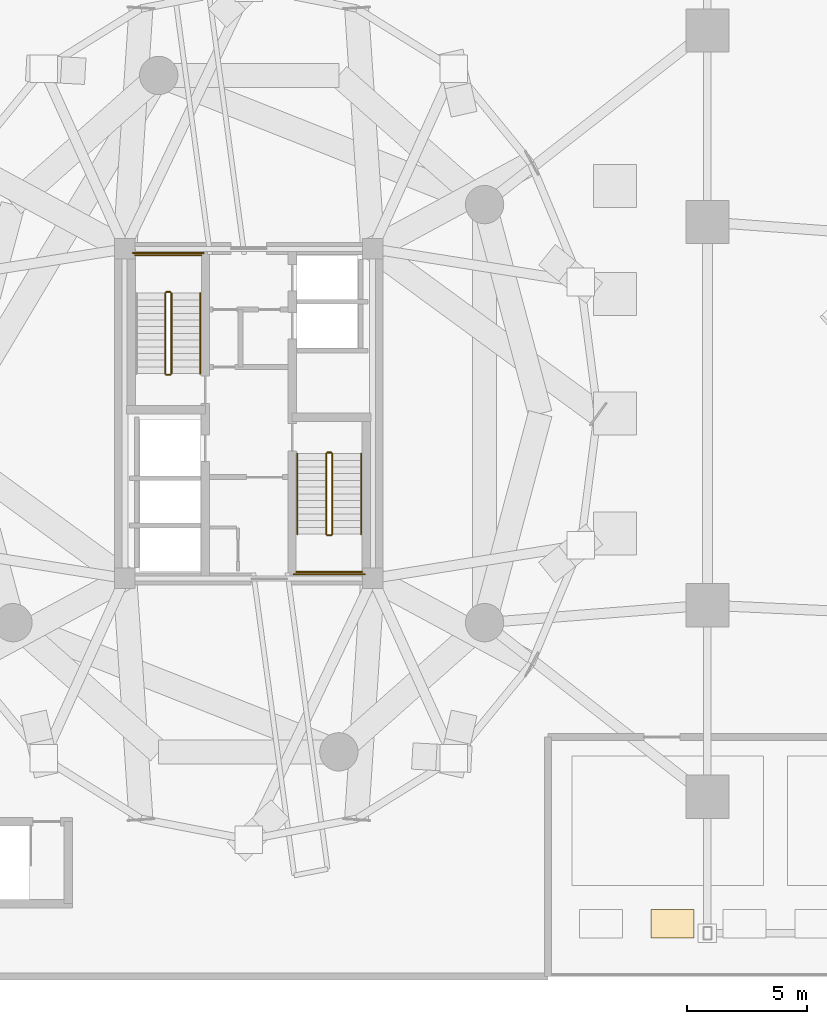
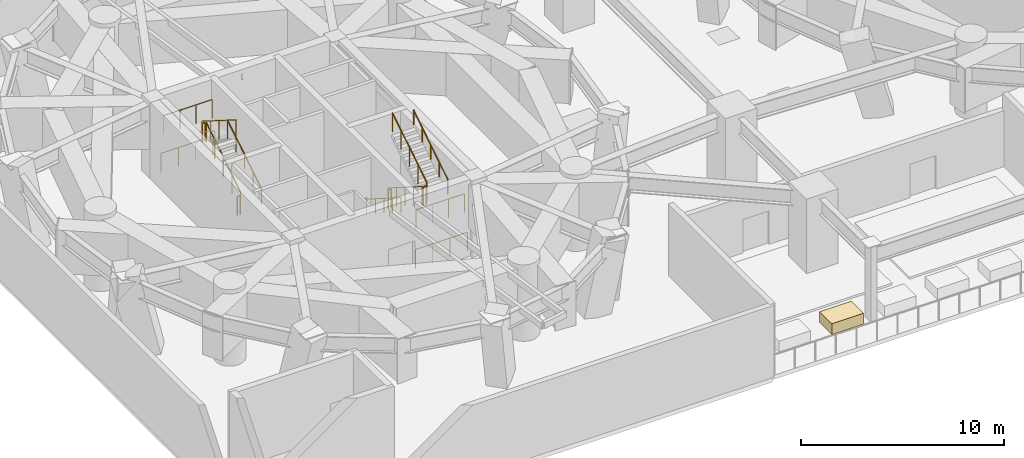
# One storey, part 22 of 25: 15 railings, 1 covering.
"""IFC4 building model written with IfcOpenShell, lengths in metres."""

import ifcopenshell
import ifcopenshell.guid

model = None  # the IFC model being written
_history = None  # IfcOwnerHistory: only IFC2X3 demands one
_inside = {}  # id of a spatial element -> (the spatial element, [elements in it])
_under = {}  # id of a project, library or spatial element -> (it, [spatial elements below it])
_declared = {}  # id of a project -> (the project, [libraries it declares])
_typed = {}  # id of a type object -> (the type object, [elements of that type])
_made_of = {}  # id of a material, layer set ... -> (it, [elements and type objects made of it])


def new_model(schema):
    """Start an empty IFC model of exactly this schema.

    Asked for "IFC4X3", IfcOpenShell would pick the latest addendum, in which some entities
    have other attributes; the version numbers below select the first issue.
    IFC2X3 requires an IfcOwnerHistory on every rooted entity: one is made here for all.
    """
    global model, _history
    if schema == "IFC4X3":
        model = ifcopenshell.file(schema_version=(4, 3, 0, 0))
    else:
        model = ifcopenshell.file(schema=schema)
    _inside.clear()
    _under.clear()
    _declared.clear()
    _typed.clear()
    _made_of.clear()
    _history = None
    if model.schema == "IFC2X3":
        org = make("IfcOrganization", Name="unknown")
        user = make(
            "IfcPersonAndOrganization",
            ThePerson=make("IfcPerson", FamilyName="unknown"),
            TheOrganization=org,
        )
        app = make(
            "IfcApplication",
            ApplicationDeveloper=org,
            Version="unknown",
            ApplicationFullName="unknown",
            ApplicationIdentifier="unknown",
        )
        _history = make(
            "IfcOwnerHistory",
            OwningUser=user,
            OwningApplication=app,
            ChangeAction="ADDED",
            CreationDate=0,
        )
    return model


def make(cls, **values):
    """One entity of the class cls with the attributes given. An attribute that is None is left unset."""
    return model.create_entity(
        cls, **{name: value for name, value in values.items() if value is not None}
    )


def rooted(cls, **values):
    """An entity with a GlobalId (a new one), such as an element, a storey or a relation."""
    return make(cls, GlobalId=ifcopenshell.guid.new(), OwnerHistory=_history, **values)


def si_unit(unit_type, name, prefix=None):
    """IfcSIUnit, for example si_unit("LENGTHUNIT", "METRE", prefix="MILLI")."""
    return make("IfcSIUnit", UnitType=unit_type, Prefix=prefix, Name=name)


def assignment(units):
    """IfcUnitAssignment: the units of a project."""
    return None if units is None else make("IfcUnitAssignment", Units=units)


def point(xyz):
    """IfcCartesianPoint."""
    return None if xyz is None else make("IfcCartesianPoint", Coordinates=xyz)


def direction(xyz):
    """IfcDirection."""
    return None if xyz is None else make("IfcDirection", DirectionRatios=xyz)


def frame(location, z_axis=None, x_axis=None):
    """IfcAxis2Placement3D, a coordinate frame: its origin and axes. An axis left out is left unset."""
    return make(
        "IfcAxis2Placement3D",
        Location=point(location),
        Axis=direction(z_axis),
        RefDirection=direction(x_axis),
    )


def frame_2d(location, x_axis=None):
    """IfcAxis2Placement2D, a coordinate frame in the plane: its origin and x axis."""
    return make(
        "IfcAxis2Placement2D", Location=point(location), RefDirection=direction(x_axis)
    )


def origin():
    """The frame at (0, 0, 0) with its axes left unset."""
    return frame((0.0, 0.0, 0.0))


def origin_2d():
    """The frame at (0, 0) in the plane with its x axis left unset."""
    return frame_2d((0.0, 0.0))


def place(relative_to, where):
    """IfcLocalPlacement: puts the frame where relative to a parent placement (None: the world)."""
    return make(
        "IfcLocalPlacement", PlacementRelTo=relative_to, RelativePlacement=where
    )


def context(
    kind, dimensions, precision=None, world=None, true_north=None, identifier=None
):
    """IfcGeometricRepresentationContext, for example the 3D "Model" context."""
    return make(
        "IfcGeometricRepresentationContext",
        ContextIdentifier=identifier,
        ContextType=kind,
        CoordinateSpaceDimension=dimensions,
        Precision=precision,
        WorldCoordinateSystem=world,
        TrueNorth=true_north,
    )


def subcontext(parent, identifier, kind, view, scale=None):
    """IfcGeometricRepresentationSubContext, for example "Body" below "Model"."""
    return make(
        "IfcGeometricRepresentationSubContext",
        ContextIdentifier=identifier,
        ContextType=kind,
        ParentContext=parent,
        TargetScale=scale,
        TargetView=view,
    )


def project(units=None, contexts=None):
    """IfcProject with its units and contexts."""
    return rooted(
        "IfcProject",
        Name="project",
        RepresentationContexts=contexts,
        UnitsInContext=assignment(units),
    )


def spatial(cls, under=None, at=None, **own):
    """A site, building, storey or space (cls), placed at a placement, below another one or the project."""
    s = rooted(cls, ObjectPlacement=at, **own)
    if under is not None:
        _under.setdefault(under.id(), (under, []))[1].append(s)
    return s


def profile(cls, at=None, kind="AREA", **sizes):
    """A parametric profile (cls). Its sizes go by their IFC names, for example OverallWidth=200.0."""
    return make(cls, ProfileType=kind, Position=at, **sizes)


def rectangle(**sizes):
    """IfcRectangleProfileDef."""
    return profile("IfcRectangleProfileDef", **sizes)


def circle(**sizes):
    """IfcCircleProfileDef."""
    return profile("IfcCircleProfileDef", **sizes)


def extrude(swept, where, along, depth):
    """IfcExtrudedAreaSolid: the profile swept, set in the frame where, extruded along a direction by depth."""
    return make(
        "IfcExtrudedAreaSolid",
        SweptArea=swept,
        Position=where,
        ExtrudedDirection=direction(along),
        Depth=depth,
    )


def shape(context_of_items, identifier, shape_type, items):
    """IfcShapeRepresentation: the items that make up one representation, for example the "Body"."""
    return make(
        "IfcShapeRepresentation",
        ContextOfItems=context_of_items,
        RepresentationIdentifier=identifier,
        RepresentationType=shape_type,
        Items=items,
    )


def source(mapping_origin, context_of_items, identifier, shape_type, items):
    """IfcRepresentationMap: a shape defined once, which mapped items show again and again."""
    return make(
        "IfcRepresentationMap",
        MappingOrigin=mapping_origin,
        MappedRepresentation=shape(context_of_items, identifier, shape_type, items),
    )


def transform(
    local_origin,
    x_axis=None,
    y_axis=None,
    z_axis=None,
    scale=None,
    scale2=None,
    scale3=None,
    uniform=True,
):
    """IfcCartesianTransformationOperator3D, or its non-uniform kind. x_axis, y_axis, z_axis: its Axis1, 2, 3."""
    if uniform:
        return make(
            "IfcCartesianTransformationOperator3D",
            Axis1=direction(x_axis),
            Axis2=direction(y_axis),
            LocalOrigin=point(local_origin),
            Scale=scale,
            Axis3=direction(z_axis),
        )
    return make(
        "IfcCartesianTransformationOperator3DnonUniform",
        Axis1=direction(x_axis),
        Axis2=direction(y_axis),
        LocalOrigin=point(local_origin),
        Scale=scale,
        Axis3=direction(z_axis),
        Scale2=scale2,
        Scale3=scale3,
    )


def mapped(mapping_source, mapping_target):
    """IfcMappedItem: shows the shape of a source again, moved by a transform."""
    return make(
        "IfcMappedItem", MappingSource=mapping_source, MappingTarget=mapping_target
    )


def material(Name=None, Category=None):
    """IfcMaterial."""
    return make("IfcMaterial", Name=Name, Category=Category)


def layer(
    of_material, thickness, ventilated=None, Name=None, Category=None, Priority=None
):
    """IfcMaterialLayer: one layer of a wall or slab, of a material (None: an air gap)."""
    return make(
        "IfcMaterialLayer",
        Material=of_material,
        LayerThickness=thickness,
        IsVentilated=ventilated,
        Name=Name,
        Category=Category,
        Priority=Priority,
    )


def layer_set(layers, Name=None):
    """IfcMaterialLayerSet."""
    return make("IfcMaterialLayerSet", MaterialLayers=layers, LayerSetName=Name)


def made_of(thing, what):
    """Note that an element or type object is made of a material, layer set ...; save() writes the relation."""
    if what is not None:
        _made_of.setdefault(what.id(), (what, []))[1].append(thing)
    return thing


def type_object(cls, material=None, **own):
    """A type object (cls), such as IfcWallType, which elements share."""
    return made_of(rooted(cls, **own), material)


def element(
    cls,
    number,
    at=None,
    inside=None,
    cuts=None,
    type_object=None,
    material=None,
    context=None,
    identifier="Body",
    shape_type=None,
    held_by="IfcProductDefinitionShape",
    body=None,
    shapes=None,
    **own,
):
    """One element of the class cls, such as IfcWall. Its Tag is "e" and its number.

    at: its placement. inside: the storey or other place that contains it. cuts: it is an
    opening in that element (IfcRelVoidsElement). A single representation is given by context,
    identifier, shape_type and body (its items); several are given by shapes. held_by: the class
    of the entity that holds the representations. save() writes the other relations.
    """
    e = rooted(cls, Tag="e%d" % number, ObjectPlacement=at, **own)
    if body is not None:
        shapes = [shape(context, identifier, shape_type, body)]
    if shapes is not None:
        e.Representation = make(held_by, Representations=shapes)
    if inside is not None:
        _inside.setdefault(inside.id(), (inside, []))[1].append(e)
    if cuts is not None:
        rooted(
            "IfcRelVoidsElement", RelatingBuildingElement=cuts, RelatedOpeningElement=e
        )
    if type_object is not None:
        _typed.setdefault(type_object.id(), (type_object, []))[1].append(e)
    return made_of(e, material)


def aggregate(whole, parts):
    """IfcRelAggregates: a whole, such as a stair, and the parts it consists of."""
    return rooted("IfcRelAggregates", RelatingObject=whole, RelatedObjects=parts)


def save(model, path):
    """Write the relations noted so far, then the file.

    IfcRelAggregates (storeys below a building ...), IfcRelContainedInSpatialStructure (elements
    in a storey), IfcRelDefinesByType, IfcRelAssociatesMaterial and IfcRelDeclares: one each for
    every whole, place, type object, material and project.
    """
    for whole, parts in _under.values():
        aggregate(whole, parts)
    for where, things in _inside.values():
        rooted(
            "IfcRelContainedInSpatialStructure",
            RelatedElements=things,
            RelatingStructure=where,
        )
    for kind, things in _typed.values():
        rooted("IfcRelDefinesByType", RelatedObjects=things, RelatingType=kind)
    for what, things in _made_of.values():
        rooted("IfcRelAssociatesMaterial", RelatedObjects=things, RelatingMaterial=what)
    for by, libraries in _declared.values():
        rooted("IfcRelDeclares", RelatingContext=by, RelatedDefinitions=libraries)
    model.write(path)


model = new_model("IFC4")

# Units and contexts
model_context = context("Model", 3, precision=1e-05, world=origin(), true_north=direction((0.0, 1.0)))
body_context = subcontext(model_context, "Body", "Model", "MODEL_VIEW")
ifc_project = project(units=[si_unit("LENGTHUNIT", "METRE"), si_unit("AREAUNIT", "SQUARE_METRE"), si_unit("VOLUMEUNIT", "CUBIC_METRE"), si_unit("PLANEANGLEUNIT", "RADIAN"), si_unit("MASSUNIT", "GRAM", prefix="KILO")], contexts=[model_context])

# Site, building, storey
site_placement = place(None, origin())
site = spatial("IfcSite", under=ifc_project, at=site_placement, CompositionType="ELEMENT")
building_placement = place(site_placement, origin())
building = spatial("IfcBuilding", under=site, at=building_placement, Name="Cununo Teusaquillo Station Towers", CompositionType="ELEMENT")
storey_placement = place(building_placement, frame((0.0, 0.0, 17.39990234375)))
storey = spatial("IfcBuildingStorey", under=building, at=storey_placement, Name="L04", CompositionType="ELEMENT", Elevation=17.39990234375)

# Railings
ifc_material_1 = material(Name="Steel EN 10025-2 S355J2", Category="steel")
railing_type_1 = type_object("IfcRailingType", Name="RL-INT-GUARD", PredefinedType="GUARDRAIL", material=ifc_material_1)
railing_1_placement = place(storey_placement, frame((13.27001953125, 26.169921875, 0.177001953125)))
element("IfcRailing", 1, at=railing_1_placement, inside=storey, type_object=railing_type_1, Name="L04 ST-T1-1 stair guard 1", PredefinedType="GUARDRAIL", context=body_context, shape_type="SweptSolid", body=[
    extrude(circle(Radius=0.02392578125, at=origin_2d()), frame((0.0, 0.0, 1.1259765625), z_axis=(0.0, 0.845389635667, 0.534150132366), x_axis=(-1.0, 0.0, 0.0)), (0.0, 0.0, 1.0), 3.974609375),
    extrude(circle(Radius=0.02099609375, at=origin_2d()), origin(), (0.0, 0.0, 1.0), 1.101806640625),
    extrude(circle(Radius=0.02099609375, at=origin_2d()), frame((0.0, 0.840087890625, 0.53076171875)), (0.0, 0.0, 1.0), 1.101806640625),
    extrude(circle(Radius=0.02099609375, at=origin_2d()), frame((0.0, 1.68017578125, 1.0615234375)), (0.0, 0.0, 1.0), 1.101806640625),
    extrude(circle(Radius=0.02099609375, at=origin_2d()), frame((0.0, 2.52001953125, 1.59228515625)), (0.0, 0.0, 1.0), 1.101806640625),
    extrude(circle(Radius=0.02099609375, at=origin_2d()), frame((0.0, 3.360107421875, 2.123046875)), (0.0, 0.0, 1.0), 1.101806640625),
])
railing_2_placement = place(storey_placement, frame((13.219970703125, 29.580078125, 2.300048828125)))
element("IfcRailing", 2, at=railing_2_placement, inside=storey, type_object=railing_type_1, Name="L04 ST-T1-1 stair guard 2", PredefinedType="GUARDRAIL", context=body_context, shape_type="SweptSolid", body=[
    extrude(circle(Radius=0.02392578125, at=origin_2d()), frame((0.0, 0.0, 1.1259765625), z_axis=(-1.0, 0.0, 0.0), x_axis=(0.0, -1.0, 0.0)), (0.0, 0.0, 1.0), 0.159912109375),
    extrude(circle(Radius=0.02099609375, at=origin_2d()), origin(), (0.0, 0.0, 1.0), 1.101806640625),
    extrude(circle(Radius=0.02099609375, at=origin_2d()), frame((-0.159912109375, 0.0, 0.0)), (0.0, 0.0, 1.0), 1.101806640625),
])
railing_3_placement = place(storey_placement, frame((14.52001953125, 31.110107421875, 2.300048828125)))
element("IfcRailing", 3, at=railing_3_placement, inside=storey, type_object=railing_type_1, Name="L04 ST-T1-1 stair guard 3", PredefinedType="GUARDRAIL", context=body_context, shape_type="SweptSolid", body=[
    extrude(circle(Radius=0.02392578125, at=origin_2d()), frame((0.0, 0.0, 1.1259765625), z_axis=(-1.0, 0.0, 0.0), x_axis=(0.0, -1.0, 0.0)), (0.0, 0.0, 1.0), 2.760009765625),
    extrude(circle(Radius=0.02099609375, at=origin_2d()), origin(), (0.0, 0.0, 1.0), 1.101806640625),
    extrude(circle(Radius=0.02099609375, at=origin_2d()), frame((-0.919921875, 0.0, 0.0)), (0.0, 0.0, 1.0), 1.101806640625),
    extrude(circle(Radius=0.02099609375, at=origin_2d()), frame((-1.840087890625, 0.0, 0.0)), (0.0, 0.0, 1.0), 1.101806640625),
    extrude(circle(Radius=0.02099609375, at=origin_2d()), frame((-2.760009765625, 0.0, 0.0)), (0.0, 0.0, 1.0), 1.101806640625),
])
railing_4_placement = place(storey_placement, frame((13.010009765625, 29.530029296875, 2.47705078125)))
element("IfcRailing", 4, at=railing_4_placement, inside=storey, type_object=railing_type_1, Name="L04 ST-T1-1 stair guard 4", PredefinedType="GUARDRAIL", context=body_context, shape_type="SweptSolid", body=[
    extrude(circle(Radius=0.02392578125, at=origin_2d()), frame((0.0, 0.0, 1.1259765625), z_axis=(0.0, -0.845389635667, 0.534150132366), x_axis=(1.0, 0.0, 0.0)), (0.0, 0.0, 1.0), 3.974609375),
    extrude(circle(Radius=0.02099609375, at=origin_2d()), origin(), (0.0, 0.0, 1.0), 1.101806640625),
    extrude(circle(Radius=0.02099609375, at=origin_2d()), frame((0.0, -0.840087890625, 0.53076171875)), (0.0, 0.0, 1.0), 1.101806640625),
    extrude(circle(Radius=0.02099609375, at=origin_2d()), frame((0.0, -1.68017578125, 1.0615234375)), (0.0, 0.0, 1.0), 1.101806640625),
    extrude(circle(Radius=0.02099609375, at=origin_2d()), frame((0.0, -2.52001953125, 1.59228515625)), (0.0, 0.0, 1.0), 1.101806640625),
    extrude(circle(Radius=0.02099609375, at=origin_2d()), frame((0.0, -3.360107421875, 2.123046875)), (0.0, 0.0, 1.0), 1.101806640625),
])
railing_5_placement = place(storey_placement, frame((13.219970703125, 26.1201171875, 0.0)))
element("IfcRailing", 5, at=railing_5_placement, inside=storey, type_object=railing_type_1, Name="L04 ST-T1-1 stair guard 5", PredefinedType="GUARDRAIL", context=body_context, shape_type="SweptSolid", body=[
    extrude(circle(Radius=0.02392578125, at=origin_2d()), frame((0.0, 0.0, 1.1259765625), z_axis=(-1.0, 0.0, 0.0), x_axis=(0.0, -1.0, 0.0)), (0.0, 0.0, 1.0), 0.159912109375),
    extrude(circle(Radius=0.02099609375, at=origin_2d()), origin(), (0.0, 0.0, 1.0), 1.101806640625),
    extrude(circle(Radius=0.02099609375, at=origin_2d()), frame((-0.159912109375, 0.0, 0.0)), (0.0, 0.0, 1.0), 1.101806640625),
])
railing_6_placement = place(storey_placement, frame((14.6201171875, 31.2099609375, 0.0)))
element("IfcRailing", 6, at=railing_6_placement, inside=storey, type_object=railing_type_1, Name="L04 ST-T1-1 stair guard 6", PredefinedType="GUARDRAIL", context=body_context, shape_type="SweptSolid", body=[
    extrude(circle(Radius=0.02392578125, at=origin_2d()), frame((0.0, 0.0, 1.1259765625), z_axis=(-1.0, 0.0, 0.0), x_axis=(0.0, -1.0, 0.0)), (0.0, 0.0, 1.0), 2.960205078125),
    extrude(circle(Radius=0.02099609375, at=origin_2d()), origin(), (0.0, 0.0, 1.0), 1.101806640625),
    extrude(circle(Radius=0.02099609375, at=origin_2d()), frame((-0.98681640625, 0.0, 0.0)), (0.0, 0.0, 1.0), 1.101806640625),
    extrude(circle(Radius=0.02099609375, at=origin_2d()), frame((-1.973388671875, 0.0, 0.0)), (0.0, 0.0, 1.0), 1.101806640625),
    extrude(circle(Radius=0.02099609375, at=origin_2d()), frame((-2.960205078125, 0.0, 0.0)), (0.0, 0.0, 1.0), 1.101806640625),
])
railing_7_placement = place(storey_placement, frame((19.72998046875, 22.830078125, 0.177001953125)))
element("IfcRailing", 7, at=railing_7_placement, inside=storey, type_object=railing_type_1, Name="L04 ST-T1-2 stair guard 1", PredefinedType="GUARDRAIL", context=body_context, shape_type="SweptSolid", body=[
    extrude(circle(Radius=0.02392578125, at=origin_2d()), frame((0.0, 0.0, 1.1259765625), z_axis=(0.0, -0.845389635667, 0.534150132366), x_axis=(1.0, 0.0, 0.0)), (0.0, 0.0, 1.0), 3.974609375),
    extrude(circle(Radius=0.02099609375, at=origin_2d()), origin(), (0.0, 0.0, 1.0), 1.101806640625),
    extrude(circle(Radius=0.02099609375, at=origin_2d()), frame((0.0, -0.840087890625, 0.53076171875)), (0.0, 0.0, 1.0), 1.101806640625),
    extrude(circle(Radius=0.02099609375, at=origin_2d()), frame((0.0, -1.68017578125, 1.0615234375)), (0.0, 0.0, 1.0), 1.101806640625),
    extrude(circle(Radius=0.02099609375, at=origin_2d()), frame((0.0, -2.52001953125, 1.59228515625)), (0.0, 0.0, 1.0), 1.101806640625),
    extrude(circle(Radius=0.02099609375, at=origin_2d()), frame((0.0, -3.360107421875, 2.123046875)), (0.0, 0.0, 1.0), 1.101806640625),
])
railing_8_placement = place(storey_placement, frame((19.780029296875, 19.419921875, 2.300048828125)))
element("IfcRailing", 8, at=railing_8_placement, inside=storey, type_object=railing_type_1, Name="L04 ST-T1-2 stair guard 2", PredefinedType="GUARDRAIL", context=body_context, shape_type="SweptSolid", body=[
    extrude(circle(Radius=0.02392578125, at=origin_2d()), frame((0.0, 0.0, 1.1259765625), z_axis=(1.0, 0.0, 0.0), x_axis=(0.0, 1.0, 0.0)), (0.0, 0.0, 1.0), 0.159912109375),
    extrude(circle(Radius=0.02099609375, at=origin_2d()), origin(), (0.0, 0.0, 1.0), 1.101806640625),
    extrude(circle(Radius=0.02099609375, at=origin_2d()), frame((0.159912109375, 0.0, 0.0)), (0.0, 0.0, 1.0), 1.101806640625),
])
railing_9_placement = place(storey_placement, frame((18.47998046875, 17.889892578125, 2.300048828125)))
element("IfcRailing", 9, at=railing_9_placement, inside=storey, type_object=railing_type_1, Name="L04 ST-T1-2 stair guard 3", PredefinedType="GUARDRAIL", context=body_context, shape_type="SweptSolid", body=[
    extrude(circle(Radius=0.02392578125, at=origin_2d()), frame((0.0, 0.0, 1.1259765625), z_axis=(1.0, 0.0, 0.0), x_axis=(0.0, 1.0, 0.0)), (0.0, 0.0, 1.0), 2.760009765625),
    extrude(circle(Radius=0.02099609375, at=origin_2d()), origin(), (0.0, 0.0, 1.0), 1.101806640625),
    extrude(circle(Radius=0.02099609375, at=origin_2d()), frame((0.919921875, 0.0, 0.0)), (0.0, 0.0, 1.0), 1.101806640625),
    extrude(circle(Radius=0.02099609375, at=origin_2d()), frame((1.840087890625, 0.0, 0.0)), (0.0, 0.0, 1.0), 1.101806640625),
    extrude(circle(Radius=0.02099609375, at=origin_2d()), frame((2.760009765625, 0.0, 0.0)), (0.0, 0.0, 1.0), 1.101806640625),
])
railing_10_placement = place(storey_placement, frame((19.989990234375, 19.469970703125, 2.47705078125)))
element("IfcRailing", 10, at=railing_10_placement, inside=storey, type_object=railing_type_1, Name="L04 ST-T1-2 stair guard 4", PredefinedType="GUARDRAIL", context=body_context, shape_type="SweptSolid", body=[
    extrude(circle(Radius=0.02392578125, at=origin_2d()), frame((0.0, 0.0, 1.1259765625), z_axis=(0.0, 0.845389635667, 0.534150132366), x_axis=(-1.0, 0.0, 0.0)), (0.0, 0.0, 1.0), 3.974609375),
    extrude(circle(Radius=0.02099609375, at=origin_2d()), origin(), (0.0, 0.0, 1.0), 1.101806640625),
    extrude(circle(Radius=0.02099609375, at=origin_2d()), frame((0.0, 0.840087890625, 0.53076171875)), (0.0, 0.0, 1.0), 1.101806640625),
    extrude(circle(Radius=0.02099609375, at=origin_2d()), frame((0.0, 1.68017578125, 1.0615234375)), (0.0, 0.0, 1.0), 1.101806640625),
    extrude(circle(Radius=0.02099609375, at=origin_2d()), frame((0.0, 2.52001953125, 1.59228515625)), (0.0, 0.0, 1.0), 1.101806640625),
    extrude(circle(Radius=0.02099609375, at=origin_2d()), frame((0.0, 3.360107421875, 2.123046875)), (0.0, 0.0, 1.0), 1.101806640625),
])
railing_11_placement = place(storey_placement, frame((19.780029296875, 22.8798828125, 0.0)))
element("IfcRailing", 11, at=railing_11_placement, inside=storey, type_object=railing_type_1, Name="L04 ST-T1-2 stair guard 5", PredefinedType="GUARDRAIL", context=body_context, shape_type="SweptSolid", body=[
    extrude(circle(Radius=0.02392578125, at=origin_2d()), frame((0.0, 0.0, 1.1259765625), z_axis=(1.0, 0.0, 0.0), x_axis=(0.0, 1.0, 0.0)), (0.0, 0.0, 1.0), 0.159912109375),
    extrude(circle(Radius=0.02099609375, at=origin_2d()), origin(), (0.0, 0.0, 1.0), 1.101806640625),
    extrude(circle(Radius=0.02099609375, at=origin_2d()), frame((0.159912109375, 0.0, 0.0)), (0.0, 0.0, 1.0), 1.101806640625),
])
railing_12_placement = place(storey_placement, frame((18.3798828125, 17.7900390625, 0.0)))
element("IfcRailing", 12, at=railing_12_placement, inside=storey, type_object=railing_type_1, Name="L04 ST-T1-2 stair guard 6", PredefinedType="GUARDRAIL", context=body_context, shape_type="SweptSolid", body=[
    extrude(circle(Radius=0.02392578125, at=origin_2d()), frame((0.0, 0.0, 1.1259765625), z_axis=(1.0, 0.0, 0.0), x_axis=(0.0, 1.0, 0.0)), (0.0, 0.0, 1.0), 2.960205078125),
    extrude(circle(Radius=0.02099609375, at=origin_2d()), origin(), (0.0, 0.0, 1.0), 1.101806640625),
    extrude(circle(Radius=0.02099609375, at=origin_2d()), frame((0.98681640625, 0.0, 0.0)), (0.0, 0.0, 1.0), 1.101806640625),
    extrude(circle(Radius=0.02099609375, at=origin_2d()), frame((1.973388671875, 0.0, 0.0)), (0.0, 0.0, 1.0), 1.101806640625),
    extrude(circle(Radius=0.02099609375, at=origin_2d()), frame((2.960205078125, 0.0, 0.0)), (0.0, 0.0, 1.0), 1.101806640625),
])
ifc_material_2 = material(Name="Steel EN 10025-2 S355J2", Category="steel")
railing_type_2 = type_object("IfcRailingType", Name="RL-INT-HRAIL", PredefinedType="HANDRAIL", material=ifc_material_2)
railing_13_placement = place(storey_placement, frame((14.469970703125, 26.169921875, 0.177001953125)))
element("IfcRailing", 13, at=railing_13_placement, inside=storey, type_object=railing_type_2, Name="L04 ST-T1-1 stair handrail 1", PredefinedType="HANDRAIL", context=body_context, shape_type="SweptSolid", body=[
    extrude(circle(Radius=0.02392578125, at=origin_2d()), frame((0.0, 0.0, 0.8759765625), z_axis=(0.0, 0.845389635667, 0.534150132366), x_axis=(-1.0, 0.0, 0.0)), (0.0, 0.0, 1.0), 3.974609375),
    extrude(circle(Radius=0.02099609375, at=origin_2d()), origin(), (0.0, 0.0, 1.0), 0.851806640625),
    extrude(circle(Radius=0.02099609375, at=origin_2d()), frame((0.0, 0.840087890625, 0.53076171875)), (0.0, 0.0, 1.0), 0.851806640625),
    extrude(circle(Radius=0.02099609375, at=origin_2d()), frame((0.0, 1.68017578125, 1.0615234375)), (0.0, 0.0, 1.0), 0.851806640625),
    extrude(circle(Radius=0.02099609375, at=origin_2d()), frame((0.0, 2.52001953125, 1.59228515625)), (0.0, 0.0, 1.0), 0.851806640625),
    extrude(circle(Radius=0.02099609375, at=origin_2d()), frame((0.0, 3.360107421875, 2.123046875)), (0.0, 0.0, 1.0), 0.851806640625),
])
railing_14_placement = place(storey_placement, frame((18.530029296875, 22.830078125, 0.177001953125)))
element("IfcRailing", 14, at=railing_14_placement, inside=storey, type_object=railing_type_2, Name="L04 ST-T1-2 stair handrail 1", PredefinedType="HANDRAIL", context=body_context, shape_type="SweptSolid", body=[
    extrude(circle(Radius=0.02392578125, at=origin_2d()), frame((0.0, 0.0, 0.8759765625), z_axis=(0.0, -0.845389635667, 0.534150132366), x_axis=(1.0, 0.0, 0.0)), (0.0, 0.0, 1.0), 3.974609375),
    extrude(circle(Radius=0.02099609375, at=origin_2d()), origin(), (0.0, 0.0, 1.0), 0.851806640625),
    extrude(circle(Radius=0.02099609375, at=origin_2d()), frame((0.0, -0.840087890625, 0.53076171875)), (0.0, 0.0, 1.0), 0.851806640625),
    extrude(circle(Radius=0.02099609375, at=origin_2d()), frame((0.0, -1.68017578125, 1.0615234375)), (0.0, 0.0, 1.0), 0.851806640625),
    extrude(circle(Radius=0.02099609375, at=origin_2d()), frame((0.0, -2.52001953125, 1.59228515625)), (0.0, 0.0, 1.0), 0.851806640625),
    extrude(circle(Radius=0.02099609375, at=origin_2d()), frame((0.0, -3.360107421875, 2.123046875)), (0.0, 0.0, 1.0), 0.851806640625),
])
railing_15_placement = place(storey_placement, frame((21.18994140625, 19.469970703125, 2.47705078125)))
element("IfcRailing", 15, at=railing_15_placement, inside=storey, type_object=railing_type_2, Name="L04 ST-T1-2 stair handrail 2", PredefinedType="HANDRAIL", context=body_context, shape_type="SweptSolid", body=[
    extrude(circle(Radius=0.02392578125, at=origin_2d()), frame((0.0, 0.0, 0.8759765625), z_axis=(0.0, 0.845389635667, 0.534150132366), x_axis=(-1.0, 0.0, 0.0)), (0.0, 0.0, 1.0), 3.974609375),
    extrude(circle(Radius=0.02099609375, at=origin_2d()), origin(), (0.0, 0.0, 1.0), 0.851806640625),
    extrude(circle(Radius=0.02099609375, at=origin_2d()), frame((0.0, 0.840087890625, 0.53076171875)), (0.0, 0.0, 1.0), 0.851806640625),
    extrude(circle(Radius=0.02099609375, at=origin_2d()), frame((0.0, 1.68017578125, 1.0615234375)), (0.0, 0.0, 1.0), 0.851806640625),
    extrude(circle(Radius=0.02099609375, at=origin_2d()), frame((0.0, 2.52001953125, 1.59228515625)), (0.0, 0.0, 1.0), 0.851806640625),
    extrude(circle(Radius=0.02099609375, at=origin_2d()), frame((0.0, 3.360107421875, 2.123046875)), (0.0, 0.0, 1.0), 0.851806640625),
])

# Covering
ifc_material_3 = material(Name="Architectural GRC planter shell and engineered root-zone substrate", Category="concrete")
ifc_layer = layer(ifc_material_3, 0.64990234375)
ifc_layer_set = layer_set([ifc_layer], Name="Architectural GRC planter shell and engineered root-zone substrate")
covering_type = type_object("IfcCoveringType", Name="COV-TREE-PLANTER", PredefinedType="CLADDING", material=ifc_layer_set)
shared_shape = source(origin(), body_context, "Body", "SweptSolid", [
    extrude(rectangle(XDim=1.800048828125, YDim=1.199951171875, at=origin_2d()), origin(), (0.0, 0.0, 1.0), 0.64990234375),
])
covering_placement = place(storey_placement, frame((34.199951171875, 3.199951171875, 0.000244140625), z_axis=(0.0, 0.0, 1.0), x_axis=(1.0, 0.0, 0.0)))
element("IfcCovering", 16, at=covering_placement, inside=storey, type_object=covering_type, Name="L04 Podium Terrace Tree PLANTER 2", PredefinedType="CLADDING", context=body_context, shape_type="MappedRepresentation", body=[
    mapped(shared_shape, transform((0.0, 0.0, 0.0), x_axis=(1.0, 0.0, 0.0), y_axis=(0.0, 1.0, 0.0), z_axis=(0.0, 0.0, 1.0), scale=1.0)),
])

save(model, "model.ifc")
